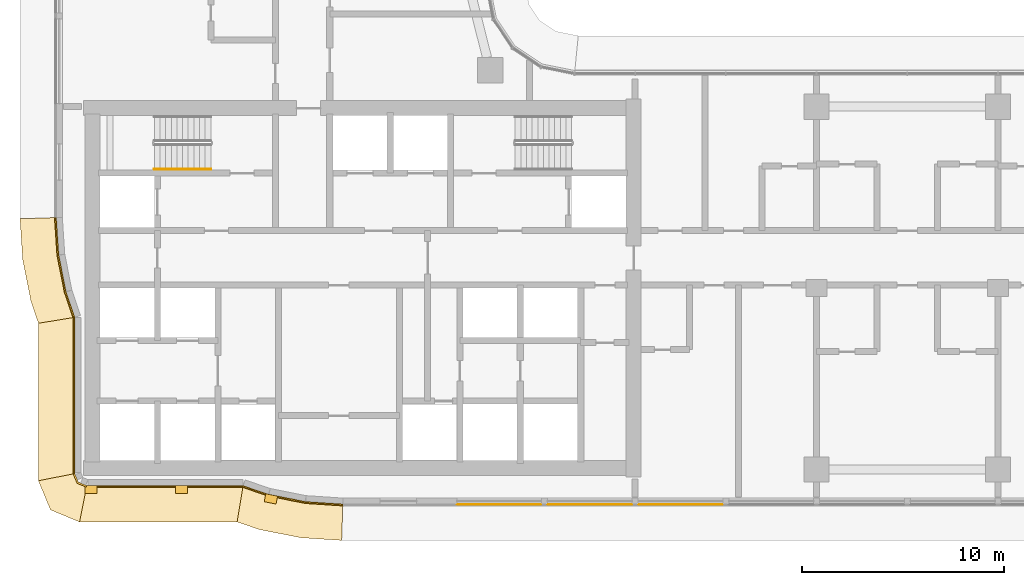
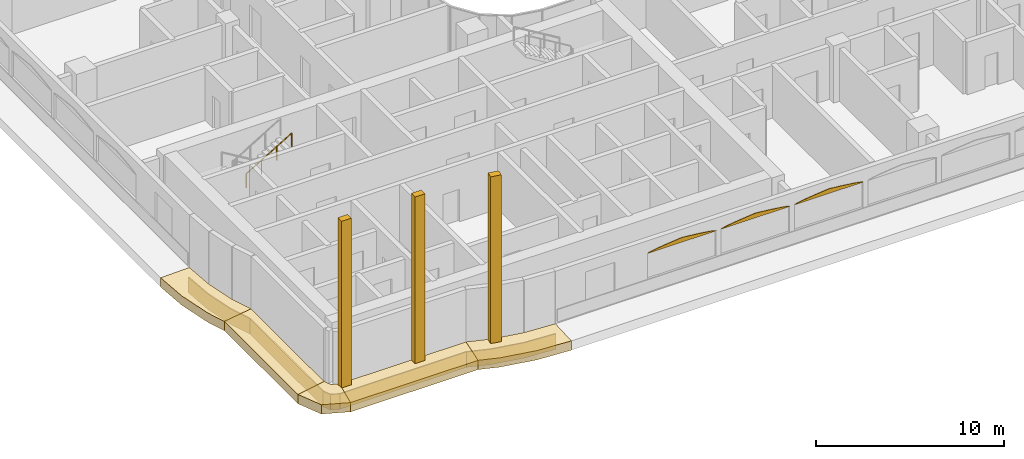
# One storey, part 17 of 25: 16 coverings, 1 railing.
"""IFC4 building model written with IfcOpenShell, lengths in metres."""

from ifc_helpers import new_model, si_unit, direction, frame, origin, origin_2d, place, context, subcontext, project, spatial, polyline, rectangle, circle, outline, extrude, material, layer, layer_set, type_object, element, save


model = new_model("IFC4")

# Units and contexts
model_context = context("Model", 3, precision=1e-05, world=origin(), true_north=direction((0.0, 1.0)))
body_context = subcontext(model_context, "Body", "Model", "MODEL_VIEW")
ifc_project = project(units=[si_unit("LENGTHUNIT", "METRE"), si_unit("AREAUNIT", "SQUARE_METRE"), si_unit("VOLUMEUNIT", "CUBIC_METRE"), si_unit("PLANEANGLEUNIT", "RADIAN"), si_unit("MASSUNIT", "GRAM", prefix="KILO")], contexts=[model_context])

# Site, building, storey
site_placement = place(None, origin())
site = spatial("IfcSite", under=ifc_project, at=site_placement, CompositionType="ELEMENT")
building_placement = place(site_placement, origin())
building = spatial("IfcBuilding", under=site, at=building_placement, Name="Ogive Portal Towers", CompositionType="ELEMENT")
storey_placement = place(building_placement, frame((0.0, 0.0, 124.10009765625)))
storey = spatial("IfcBuildingStorey", under=building, at=storey_placement, Name="L30", CompositionType="ELEMENT", Elevation=124.10009765625)

# Railing
ifc_material_1 = material(Name="Stainless steel handrail", Category="steel")
railing_type = type_object("IfcRailingType", Name="INT-HANDRAIL", PredefinedType="HANDRAIL", material=ifc_material_1)
railing_placement = place(storey_placement, frame((34.64990234375, 36.39990234375, 2.01806640625)))
element("IfcRailing", 1, at=railing_placement, inside=storey, type_object=railing_type, Name="L30 ST-A1 stair handrail 2", PredefinedType="HANDRAIL", context=body_context, shape_type="SweptSolid", body=[
    extrude(circle(Radius=0.02392578125, at=origin_2d()), frame((0.0, 0.0, 0.8759765625), z_axis=(0.857242210791, 0.0, 0.514913383045), x_axis=(0.0, 1.0, 0.0)), (0.0, 0.0, 1.0), 3.266357421875),
    extrude(circle(Radius=0.02099609375, at=origin_2d()), origin(), (0.0, 0.0, 1.0), 0.851806640625),
    extrude(circle(Radius=0.02099609375, at=origin_2d()), frame((0.933349609375, 0.0, 0.560546875)), (0.0, 0.0, 1.0), 0.851806640625),
    extrude(circle(Radius=0.02099609375, at=origin_2d()), frame((1.86669921875, 0.0, 1.121337890625)), (0.0, 0.0, 1.0), 0.851806640625),
    extrude(circle(Radius=0.02099609375, at=origin_2d()), frame((2.800048828125, 0.0, 1.681884765625)), (0.0, 0.0, 1.0), 0.851806640625),
])

# Coverings
ifc_material_2 = material(Name="Limestone cladding on lightweight block wall", Category="masonry")
ifc_layer_1 = layer(ifc_material_2, 0.0400390625)
ifc_layer_set_1 = layer_set([ifc_layer_1], Name="LANCET HEAD STONE")
covering_type_1 = type_object("IfcCoveringType", Name="LANCET HEAD STONE", PredefinedType="CLADDING", material=ifc_layer_set_1)
for number, where, z_axis, x_axis, name in (
    (2, (49.64990234375, 19.784912109375, 2.599853515625), (0.0, 0.999955602034, 0.009423054701), (1.0, 0.0, 0.0), "Lancet head"),
    (3, (54.14990234375, 19.784912109375, 2.599853515625), (0.0, 0.999955602034, 0.009423054701), (1.0, 0.0, 0.0), "Lancet head"),
    (4, (58.64990234375, 19.784912109375, 2.599853515625), (0.0, 0.999955602034, 0.009423054701), (1.0, 0.0, 0.0), "Lancet head"),
):
    element("IfcCovering", number, at=place(storey_placement, frame(where, z_axis=z_axis, x_axis=x_axis)), inside=storey, type_object=covering_type_1, Name=name, PredefinedType="CLADDING", context=body_context, shape_type="SweptSolid", body=[
        extrude(outline(polyline([(0.0, 0.0), (4.2001953125, 0.0), (4.107177734375, -0.037598287541017614), (3.9375, -0.07495474584684635), (3.7177734375, -0.11255303338786396), (3.45751953125, -0.15015362147934563), (3.162353515625, -0.1875077792347103), (2.836181640625, -0.22510836732619197), (2.481201171875, -0.2624625250815566), (2.10009765625, -0.30006311317303835), (1.718994140625, -0.2624625250815566), (1.364013671875, -0.22510836732619197), (1.037841796875, -0.1875077792347103), (0.74267578125, -0.15015362147934563), (0.482421875, -0.11255303338786396), (0.2626953125, -0.07495474584684635), (0.093017578125, -0.037598287541017614), (0.0, 0.0)])), origin(), (0.0, 0.0, -1.0), 0.0400390625),
    ])
ifc_layer_2 = layer(ifc_material_2, 0.39990234375)
ifc_layer_set_2 = layer_set([ifc_layer_2], Name="SPINE PIER STONE")
covering_type_2 = type_object("IfcCoveringType", Name="SPINE PIER STONE", PredefinedType="CLADDING", material=ifc_layer_set_2)
for number, where, z_axis, x_axis, name in (
    (5, (31.5, 20.5, 0.0), (0.0, 0.0, 1.0), (1.0, 0.0, 0.0), "SPINE PIER"),
    (6, (36.0, 20.5, 0.0), (0.0, 0.0, 1.0), (1.0, 0.0, 0.0), "SPINE PIER"),
    (7, (40.431640625, 20.04345703125, 0.0), (0.0, 0.0, 1.0), (0.980785280403, -0.195090322016, 0.0), "SPINE PIER"),
):
    element("IfcCovering", number, at=place(storey_placement, frame(where, z_axis=z_axis, x_axis=x_axis)), inside=storey, type_object=covering_type_2, Name=name, PredefinedType="CLADDING", context=body_context, shape_type="SweptSolid", body=[
        extrude(rectangle(XDim=0.60009765625, YDim=0.39990234375, at=origin_2d()), origin(), (0.0, 0.0, 1.0), 10.800048828125),
    ])
ifc_layer_3 = layer(ifc_material_2, 0.080078125)
ifc_layer_set_3 = layer_set([ifc_layer_3], Name="STONE SPANDREL 80")
covering_type_3 = type_object("IfcCoveringType", Name="STONE SPANDREL 80", PredefinedType="CLADDING", material=ifc_layer_set_3)
covering_1_placement = place(storey_placement, frame((0.0, 0.0, -1.60009765625)))
element("IfcCovering", 8, at=covering_1_placement, inside=storey, type_object=covering_type_3, Name="Stone spandrel A1-F01", PredefinedType="CLADDING", context=body_context, shape_type="SweptSolid", body=[
    extrude(outline(polyline([(30.699951171875, 29.05224609375), (30.699951171875, 21.300048828125), (30.6201171875, 21.2841796875), (30.6201171875, 29.0390625), (30.699951171875, 29.05224609375)])), origin(), (0.0, 0.0, 1.0), 1.0),
])
covering_2_placement = place(storey_placement, frame((0.0, 0.0, -1.60009765625)))
element("IfcCovering", 9, at=covering_2_placement, inside=storey, type_object=covering_type_3, Name="Stone spandrel A1-F02", PredefinedType="CLADDING", context=body_context, shape_type="SweptSolid", body=[
    extrude(outline(polyline([(30.699951171875, 21.300048828125), (30.875732421875, 20.875732421875), (31.300048828125, 20.699951171875), (31.2841796875, 20.6201171875), (30.814453125, 20.814453125), (30.6201171875, 21.2841796875), (30.699951171875, 21.300048828125)])), origin(), (0.0, 0.0, 1.0), 1.0),
])
covering_3_placement = place(storey_placement, frame((0.0, 0.0, -1.60009765625)))
element("IfcCovering", 10, at=covering_3_placement, inside=storey, type_object=covering_type_3, Name="Stone spandrel A1-F03", PredefinedType="CLADDING", context=body_context, shape_type="SweptSolid", body=[
    extrude(outline(polyline([(31.300048828125, 20.699951171875), (39.05224609375, 20.699951171875), (39.0390625, 20.6201171875), (31.2841796875, 20.6201171875), (31.300048828125, 20.699951171875)])), origin(), (0.0, 0.0, 1.0), 1.0),
])
covering_4_placement = place(storey_placement, frame((0.0, 0.0, -1.60009765625)))
element("IfcCovering", 11, at=covering_4_placement, inside=storey, type_object=covering_type_3, Name="Stone spandrel A1-F04", PredefinedType="CLADDING", context=body_context, shape_type="SweptSolid", body=[
    extrude(outline(polyline([(39.05224609375, 20.699951171875), (40.32080078125, 20.269287109375), (42.14453125, 19.906494140625), (44.0, 19.784912109375), (43.997314453125, 19.705078125), (42.134033203125, 19.8271484375), (40.300048828125, 20.19189453125), (39.0390625, 20.6201171875), (39.05224609375, 20.699951171875)])), origin(), (0.0, 0.0, 1.0), 1.0),
])
covering_5_placement = place(storey_placement, frame((0.0, 0.0, -1.60009765625)))
element("IfcCovering", 12, at=covering_5_placement, inside=storey, type_object=covering_type_3, Name="Stone spandrel A1-F14", PredefinedType="CLADDING", context=body_context, shape_type="SweptSolid", body=[
    extrude(outline(polyline([(29.784912109375, 34.0), (29.906494140625, 32.14453125), (30.269287109375, 30.32080078125), (30.699951171875, 29.05224609375), (30.6201171875, 29.0390625), (30.19189453125, 30.300048828125), (29.8271484375, 32.134033203125), (29.705078125, 33.997314453125), (29.784912109375, 34.0)])), origin(), (0.0, 0.0, 1.0), 1.0),
])
ifc_layer_4 = layer(ifc_material_2, 0.60009765625)
ifc_layer_set_4 = layer_set([ifc_layer_4], Name="SUNSHADE LIP 600")
covering_type_4 = type_object("IfcCoveringType", Name="SUNSHADE LIP 600", PredefinedType="CLADDING", material=ifc_layer_set_4)
covering_6_placement = place(storey_placement, frame((0.0, 0.0, -0.60009765625)))
element("IfcCovering", 13, at=covering_6_placement, inside=storey, type_object=covering_type_4, Name="Sunshade lip A1-F01", PredefinedType="CLADDING", context=body_context, shape_type="SweptSolid", body=[
    extrude(outline(polyline([(30.699951171875, 29.05224609375), (30.699951171875, 21.300048828125), (28.89990234375, 20.94189453125), (28.89990234375, 28.755126953125), (30.699951171875, 29.05224609375)])), origin(), (0.0, 0.0, 1.0), 0.60009765625),
])
covering_7_placement = place(storey_placement, frame((0.0, 0.0, -0.60009765625)))
element("IfcCovering", 14, at=covering_7_placement, inside=storey, type_object=covering_type_4, Name="Sunshade lip A1-F02", PredefinedType="CLADDING", context=body_context, shape_type="SweptSolid", body=[
    extrude(outline(polyline([(30.699951171875, 21.300048828125), (30.875732421875, 20.875732421875), (31.300048828125, 20.699951171875), (30.94189453125, 18.89990234375), (29.498046875, 19.498046875), (28.89990234375, 20.94189453125), (30.699951171875, 21.300048828125)])), origin(), (0.0, 0.0, 1.0), 0.60009765625),
])
covering_8_placement = place(storey_placement, frame((0.0, 0.0, -0.60009765625)))
element("IfcCovering", 15, at=covering_8_placement, inside=storey, type_object=covering_type_4, Name="Sunshade lip A1-F03", PredefinedType="CLADDING", context=body_context, shape_type="SweptSolid", body=[
    extrude(outline(polyline([(31.300048828125, 20.699951171875), (39.05224609375, 20.699951171875), (38.755126953125, 18.89990234375), (30.94189453125, 18.89990234375), (31.300048828125, 20.699951171875)])), origin(), (0.0, 0.0, 1.0), 0.60009765625),
])
covering_9_placement = place(storey_placement, frame((0.0, 0.0, -0.60009765625)))
element("IfcCovering", 16, at=covering_9_placement, inside=storey, type_object=covering_type_4, Name="Sunshade lip A1-F04", PredefinedType="CLADDING", context=body_context, shape_type="SweptSolid", body=[
    extrude(outline(polyline([(39.05224609375, 20.699951171875), (40.32080078125, 20.269287109375), (42.14453125, 19.906494140625), (44.0, 19.784912109375), (43.941162109375, 17.985107421875), (41.9091796875, 18.1181640625), (39.85400390625, 18.52685546875), (38.755126953125, 18.89990234375), (39.05224609375, 20.699951171875)])), origin(), (0.0, 0.0, 1.0), 0.60009765625),
])
covering_10_placement = place(storey_placement, frame((0.0, 0.0, -0.60009765625)))
element("IfcCovering", 17, at=covering_10_placement, inside=storey, type_object=covering_type_4, Name="Sunshade lip A1-F14", PredefinedType="CLADDING", context=body_context, shape_type="SweptSolid", body=[
    extrude(outline(polyline([(29.784912109375, 34.0), (29.906494140625, 32.14453125), (30.269287109375, 30.32080078125), (30.699951171875, 29.05224609375), (28.89990234375, 28.755126953125), (28.52685546875, 29.85400390625), (28.1181640625, 31.9091796875), (27.985107421875, 33.941162109375), (29.784912109375, 34.0)])), origin(), (0.0, 0.0, 1.0), 0.60009765625),
])

save(model, "model.ifc")
